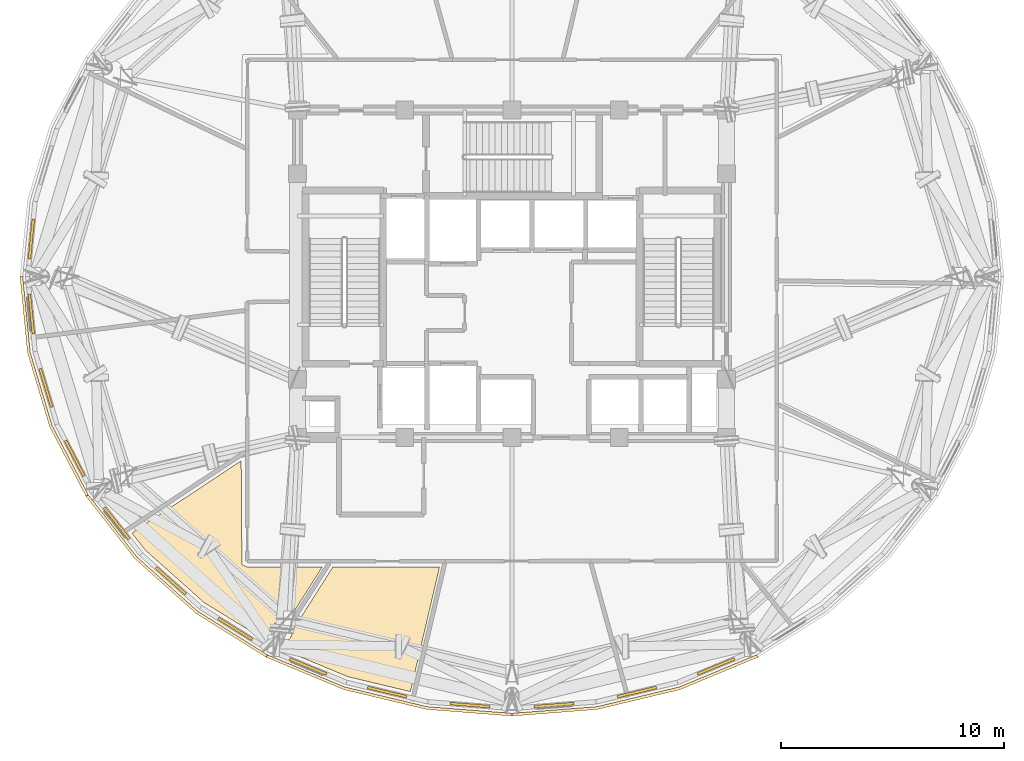
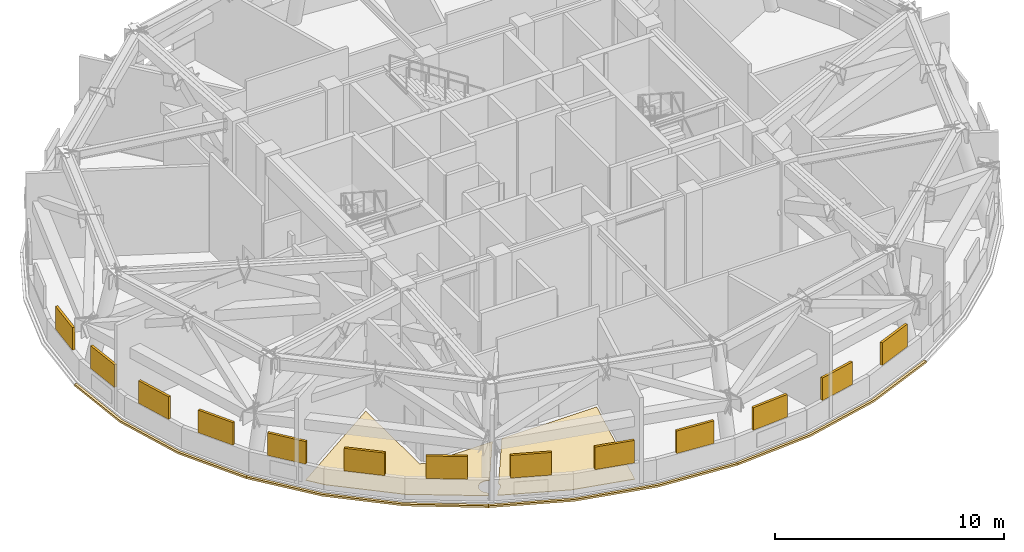
# One storey, part 10 of 13: 13 shading devices, 6 coverings.
"""IFC4 building model written with IfcOpenShell, lengths in metres."""

from ifc_helpers import new_model, si_unit, direction, frame, origin, origin_2d, place, context, subcontext, project, spatial, polyline, rectangle, outline, extrude, material, layer, layer_set, type_object, element, save


model = new_model("IFC4")

# Units and contexts
model_context = context("Model", 3, precision=1e-05, world=origin(), true_north=direction((0.0, 1.0)))
body_context = subcontext(model_context, "Body", "Model", "MODEL_VIEW")
ifc_project = project(units=[si_unit("LENGTHUNIT", "METRE"), si_unit("AREAUNIT", "SQUARE_METRE"), si_unit("VOLUMEUNIT", "CUBIC_METRE"), si_unit("PLANEANGLEUNIT", "RADIAN"), si_unit("MASSUNIT", "GRAM", prefix="KILO")], contexts=[model_context])

# Site, building, storey
site_placement = place(None, origin())
site = spatial("IfcSite", under=ifc_project, at=site_placement, CompositionType="ELEMENT")
building_placement = place(site_placement, origin())
building = spatial("IfcBuilding", under=site, at=building_placement, Name="Vantalir Tower", CompositionType="ELEMENT")
storey_placement = place(building_placement, frame((0.0, 0.0, 253.64990234375)))
storey = spatial("IfcBuildingStorey", under=building, at=storey_placement, Name="L64", CompositionType="ELEMENT", Elevation=253.64990234375)

# Coverings
ifc_material_1 = material(Name="Anodised champagne aluminium sill fascia", Category="aluminium")
ifc_layer_1 = layer(ifc_material_1, 0.125)
ifc_layer_set_1 = layer_set([ifc_layer_1], Name="Anodised champagne aluminium sill fascia")
covering_type_1 = type_object("IfcCoveringType", Name="COV-SLAB-FASCIA-125", PredefinedType="CLADDING", material=ifc_layer_set_1)
covering_1_placement = place(storey_placement, frame((0.0, 0.0, -0.179931640625)))
element("IfcCovering", 1, at=covering_1_placement, inside=storey, type_object=covering_type_1, Name="L64 Perimeter Slab-Edge Sill Fascia 07", PredefinedType="CLADDING", context=body_context, shape_type="SweptSolid", body=[
    extrude(outline(polyline([(9.47509765625, 25.0), (9.81005859375, 21.5830078125), (10.802978515625, 18.26904296875), (12.426025390625, 15.159912109375), (12.533935546875, 15.222900390625), (10.9208984375, 18.31201171875), (9.93310546875, 21.60400390625), (9.60009765625, 25.0), (9.47509765625, 25.0)])), origin(), (0.0, 0.0, 1.0), 0.10498046875),
])
covering_2_placement = place(storey_placement, frame((0.0, 0.0, -0.179931640625)))
element("IfcCovering", 2, at=covering_2_placement, inside=storey, type_object=covering_type_1, Name="L64 Perimeter Slab-Edge Sill Fascia 08", PredefinedType="CLADDING", context=body_context, shape_type="SweptSolid", body=[
    extrude(outline(polyline([(12.426025390625, 15.159912109375), (14.6279296875, 12.35107421875), (17.343017578125, 9.925048828125), (20.487060546875, 7.95703125), (20.550048828125, 8.06591796875), (17.423095703125, 10.02099609375), (14.72412109375, 12.430908203125), (12.533935546875, 15.222900390625), (12.426025390625, 15.159912109375)])), origin(), (0.0, 0.0, 1.0), 0.10498046875),
])
covering_3_placement = place(storey_placement, frame((0.0, 0.0, -0.179931640625)))
element("IfcCovering", 3, at=covering_3_placement, inside=storey, type_object=covering_type_1, Name="L64 Perimeter Slab-Edge Sill Fascia 09", PredefinedType="CLADDING", context=body_context, shape_type="SweptSolid", body=[
    extrude(outline(polyline([(20.487060546875, 7.95703125), (23.967041015625, 6.508056640625), (27.675048828125, 5.6201171875), (31.5, 5.321044921875), (31.5, 5.446044921875), (27.697021484375, 5.742919921875), (24.010009765625, 6.625), (20.550048828125, 8.06591796875), (20.487060546875, 7.95703125)])), origin(), (0.0, 0.0, 1.0), 0.10498046875),
])
covering_4_placement = place(storey_placement, frame((0.0, 0.0, -0.179931640625)))
element("IfcCovering", 4, at=covering_4_placement, inside=storey, type_object=covering_type_1, Name="L64 Perimeter Slab-Edge Sill Fascia 10", PredefinedType="CLADDING", context=body_context, shape_type="SweptSolid", body=[
    extrude(outline(polyline([(31.5, 5.321044921875), (35.324951171875, 5.6201171875), (39.032958984375, 6.508056640625), (42.512939453125, 7.95703125), (42.449951171875, 8.06591796875), (38.989990234375, 6.625), (35.302978515625, 5.742919921875), (31.5, 5.446044921875), (31.5, 5.321044921875)])), origin(), (0.0, 0.0, 1.0), 0.10498046875),
])
ifc_material_2 = material(Name="Tropical teak timber and terrazzo floor finish", Category="wood")
ifc_layer_2 = layer(ifc_material_2, 0.02490234375)
ifc_layer_set_2 = layer_set([ifc_layer_2], Name="Tropical teak timber and terrazzo floor finish")
covering_type_2 = type_object("IfcCoveringType", Name="COV-TIMBER-STONE-25", PredefinedType="FLOORING", material=ifc_layer_set_2)
covering_5_placement = place(storey_placement, origin())
element("IfcCovering", 5, at=covering_5_placement, inside=storey, type_object=covering_type_2, Name="L64 HV Transformer Electrical Plant Room Floor Finish", PredefinedType="FLOORING", context=body_context, shape_type="SweptSolid", body=[
    extrude(outline(polyline([(23.0029296875, 11.989990234375), (19.64111328125, 11.989990234375), (19.409912109375, 12.10498046875), (19.376953125, 16.75), (14.48291015625, 13.51611328125), (15.074951171875, 12.760986328125), (17.7119140625, 10.406982421875), (20.7919921875, 8.507080078125), (20.906982421875, 8.68798828125), (20.8720703125, 8.715087890625), (20.8369140625, 8.74609375), (20.805908203125, 8.781005859375), (20.778076171875, 8.818115234375), (20.7529296875, 8.85888671875), (20.73291015625, 8.90087890625), (20.718017578125, 8.945068359375), (20.7060546875, 8.990966796875), (20.698974609375, 9.037109375), (20.697021484375, 9.083984375), (20.698974609375, 9.131103515625), (20.7060546875, 9.177001953125), (20.718017578125, 9.222900390625), (20.73291015625, 9.26708984375), (20.7529296875, 9.30908203125), (20.778076171875, 9.35009765625), (20.805908203125, 9.386962890625), (20.8369140625, 9.422119140625), (20.8720703125, 9.452880859375), (20.908935546875, 9.48095703125), (20.949951171875, 9.506103515625), (20.991943359375, 9.52587890625), (21.035888671875, 9.541015625), (21.08203125, 9.552978515625), (21.1279296875, 9.56005859375), (21.175048828125, 9.56201171875), (21.221923828125, 9.56005859375), (21.26806640625, 9.552978515625), (21.31396484375, 9.541015625), (21.35791015625, 9.52587890625), (21.39990234375, 9.506103515625), (21.4189453125, 9.493896484375), (23.0029296875, 11.989990234375)])), origin(), (0.0, 0.0, 1.0), 0.025146484375),
])
covering_6_placement = place(storey_placement, origin())
element("IfcCovering", 6, at=covering_6_placement, inside=storey, type_object=covering_type_2, Name="L64 Emergency UPS Battery Plant Room Floor Finish", PredefinedType="FLOORING", context=body_context, shape_type="SweptSolid", body=[
    extrude(outline(polyline([(26.950927734375, 6.4150390625), (28.25390625, 11.989990234375), (23.47705078125, 11.989990234375), (21.652099609375, 9.114013671875), (21.653076171875, 9.083984375), (21.65087890625, 9.037109375), (21.64404296875, 8.990966796875), (21.632080078125, 8.945068359375), (21.616943359375, 8.90087890625), (21.596923828125, 8.85888671875), (21.572021484375, 8.818115234375), (21.5439453125, 8.781005859375), (21.512939453125, 8.74609375), (21.47802734375, 8.715087890625), (21.44091796875, 8.68701171875), (21.39990234375, 8.662109375), (21.35107421875, 8.639892578125), (21.156005859375, 8.3330078125), (24.158935546875, 7.0830078125), (26.950927734375, 6.4150390625)])), origin(), (0.0, 0.0, 1.0), 0.025146484375),
])

# Shading devices
ifc_material_3 = material(Name="Champagne-silver PVDF aluminium storm louvre", Category="aluminium")
ifc_layer_3 = layer(ifc_material_3, 0.1201171875)
ifc_layer_set_3 = layer_set([ifc_layer_3], Name="Champagne-silver PVDF aluminium storm louvre")
shading_device_type = type_object("IfcShadingDeviceType", Name="SHD-STORM-LOUVRE", PredefinedType="JALOUSIE", material=ifc_layer_set_3)
for number, where, z_axis, x_axis, name in (
    (7, (9.98388671875, 26.677978515625, 1.1162109375), (0.0, 0.0, 1.0), (-0.097530789641, -0.995232508046, 0.0), "L64 Acoustic Storm Louvre R18"),
    (8, (9.98388671875, 23.322021484375, 1.1162109375), (0.0, 0.0, 1.0), (0.097530789641, -0.995232508046, 0.0), "L64 Acoustic Storm Louvre R19"),
    (9, (10.637939453125, 20.014892578125, 1.1162109375), (0.0, 0.0, 1.0), (0.287678130011, -0.957727149826, 0.0), "L64 Acoustic Storm Louvre R20"),
    (10, (11.926025390625, 16.860107421875, 1.1162109375), (0.0, 0.0, 1.0), (0.46362081457, -0.886033712845, 0.0), "L64 Acoustic Storm Louvre R21"),
    (11, (13.80810546875, 13.951904296875, 1.1162109375), (0.0, 0.0, 1.0), (0.617406641008, -0.78664416329, 0.0), "L64 Acoustic Storm Louvre R22"),
    (12, (16.22802734375, 11.3798828125, 1.1162109375), (0.0, 0.0, 1.0), (0.746313000263, -0.665595151454, 0.0), "L64 Acoustic Storm Louvre R23"),
    (13, (19.112060546875, 9.221923828125, 1.1162109375), (0.0, 0.0, 1.0), (0.848242264745, -0.529608402785, 0.0), "L64 Acoustic Storm Louvre R24"),
    (14, (22.373046875, 7.5439453125, 1.1162109375), (0.0, 0.0, 1.0), (0.923371109364, -0.383908575566, 0.0), "L64 Acoustic Storm Louvre R25"),
    (15, (25.909912109375, 6.39599609375, 1.1162109375), (0.0, 0.0, 1.0), (0.972630074699, -0.232359070819, 0.0), "L64 Acoustic Storm Louvre R26"),
    (16, (29.617919921875, 5.81298828125, 1.1162109375), (0.0, 0.0, 1.0), (0.996965075661, -0.077850098982, 0.0), "L64 Acoustic Storm Louvre R27"),
    (17, (33.382080078125, 5.81298828125, 1.1162109375), (0.0, 0.0, 1.0), (0.996965075661, 0.077850098982, 0.0), "L64 Acoustic Storm Louvre R28"),
    (18, (37.090087890625, 6.39599609375, 1.1162109375), (0.0, 0.0, 1.0), (0.972630074699, 0.232359070819, 0.0), "L64 Acoustic Storm Louvre R29"),
    (19, (40.6279296875, 7.5439453125, 1.1162109375), (0.0, 0.0, 1.0), (0.923371109364, 0.383908575566, 0.0), "L64 Acoustic Storm Louvre R30"),
):
    element("IfcShadingDevice", number, at=place(storey_placement, frame(where, z_axis=z_axis, x_axis=x_axis)), inside=storey, type_object=shading_device_type, Name=name, PredefinedType="JALOUSIE", context=body_context, shape_type="SweptSolid", body=[
        extrude(rectangle(XDim=1.800048828125, YDim=0.1201171875, at=origin_2d()), origin(), (0.0, 0.0, 1.0), 1.199951171875),
    ])

save(model, "model.ifc")
